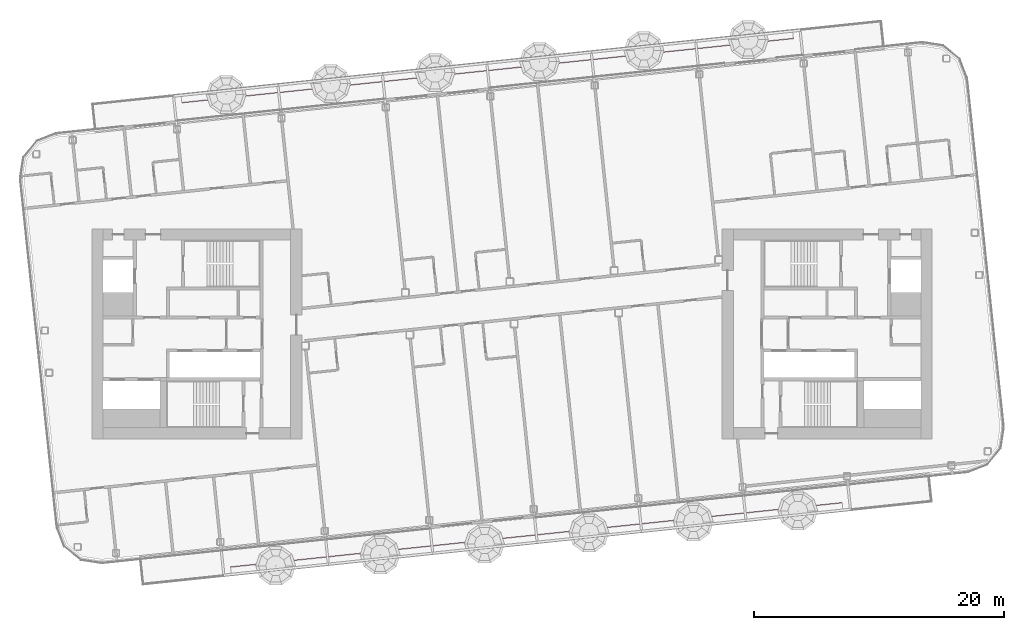
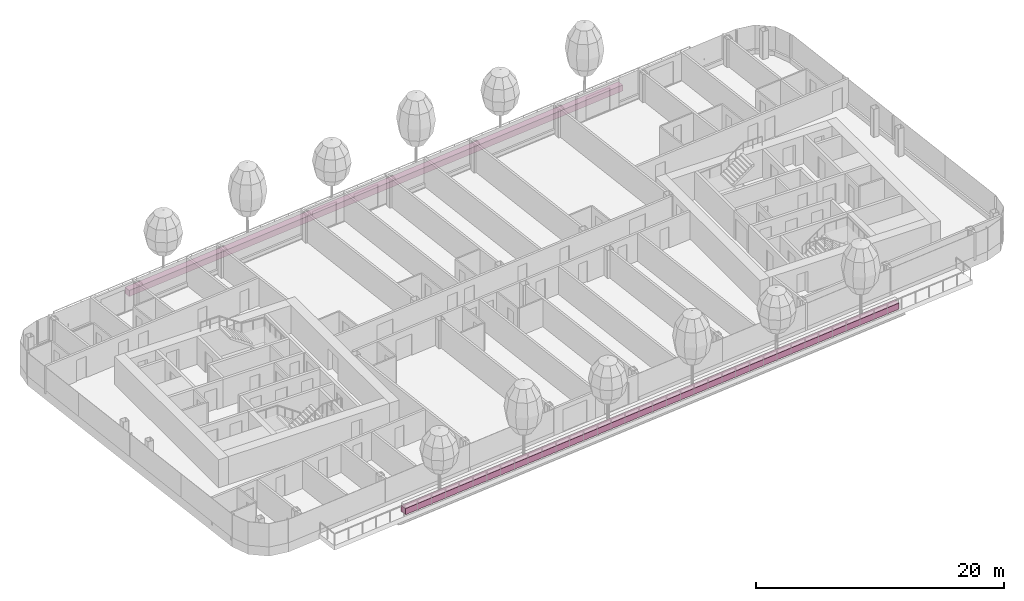
# One storey, part 27 of 30: 2 furniture elements.
"""IFC4 building model written with IfcOpenShell, lengths in metres."""

from ifc_helpers import new_model, si_unit, direction, frame, origin, origin_2d, place, context, subcontext, project, spatial, rectangle, extrude, material, type_object, element, save


model = new_model("IFC4")

# Units and contexts
model_context = context("Model", 3, precision=1e-05, world=origin(), true_north=direction((0.0, 1.0)))
body_context = subcontext(model_context, "Body", "Model", "MODEL_VIEW")
ifc_project = project(units=[si_unit("LENGTHUNIT", "METRE"), si_unit("AREAUNIT", "SQUARE_METRE"), si_unit("VOLUMEUNIT", "CUBIC_METRE"), si_unit("PLANEANGLEUNIT", "RADIAN"), si_unit("MASSUNIT", "GRAM", prefix="KILO")], contexts=[model_context])

# Site, building, storey
site_placement = place(None, origin())
site = spatial("IfcSite", under=ifc_project, at=site_placement, CompositionType="ELEMENT")
building_placement = place(site_placement, origin())
building = spatial("IfcBuilding", under=site, at=building_placement, Name="Hakoniwa Tower and Hamabe Station Hall", CompositionType="ELEMENT")
storey_placement = place(building_placement, frame((0.0, 0.0, 245.39990234375)))
storey = spatial("IfcBuildingStorey", under=building, at=storey_placement, Name="L69", CompositionType="ELEMENT", Elevation=245.39990234375)

# Furniture
ifc_material = material(Name="Aluminium 6063-T5 black anodised trough with lightweight soil", Category="aluminium")
furniture_type = type_object("IfcFurnitureType", Name="Planter 600x600", AssemblyPlace="SITE", PredefinedType="USERDEFINED", material=ifc_material)
for number, where, z_axis, x_axis, name in (
    (1, (-1.980712890625, 21.34619140625, 0.0), (0.0, 0.0, 1.0), (0.994521895368, 0.104528463268, 0.0), "Planter 600x600"),
    (2, (1.980712890625, -16.34619140625, 0.0), (0.0, 0.0, 1.0), (0.994521895368, 0.104528463268, 0.0), "Planter 600x600"),
):
    element("IfcFurniture", number, at=place(storey_placement, frame(where, z_axis=z_axis, x_axis=x_axis)), inside=storey, type_object=furniture_type, Name=name, ObjectType="PLANTER", PredefinedType="USERDEFINED", context=body_context, shape_type="SweptSolid", body=[
        extrude(rectangle(XDim=49.199951171875, YDim=0.60009765625, at=origin_2d()), origin(), (0.0, 0.0, 1.0), 0.60009765625),
    ])

save(model, "model.ifc")
